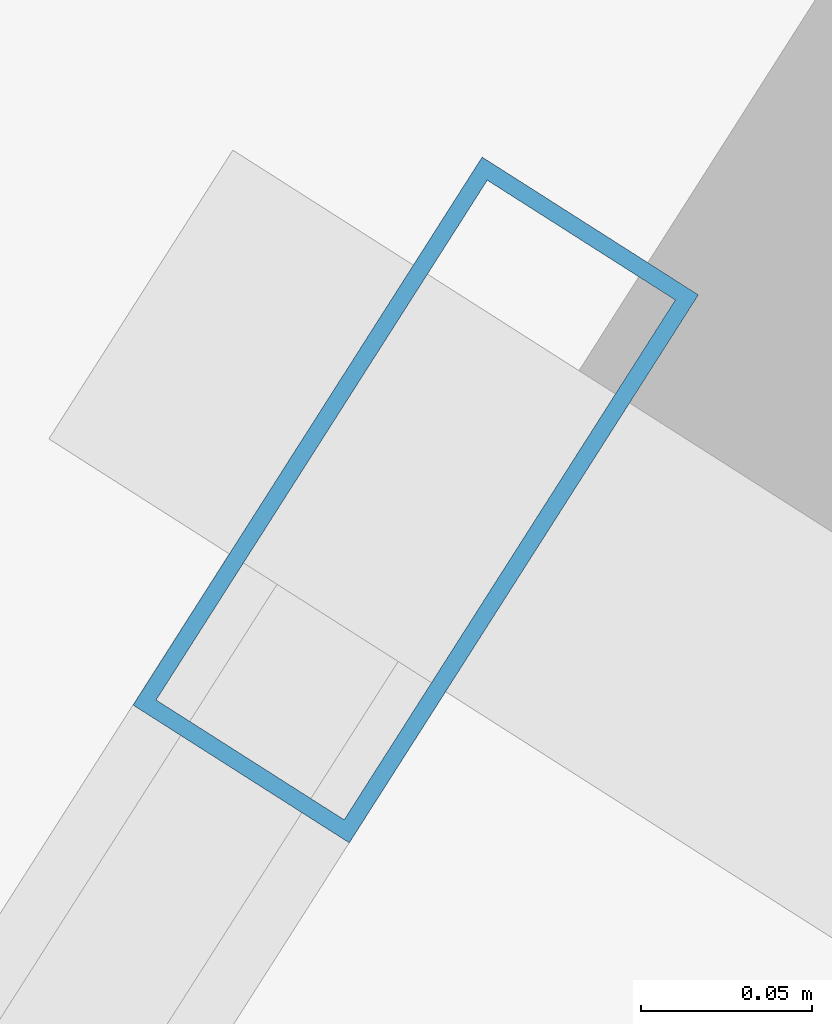
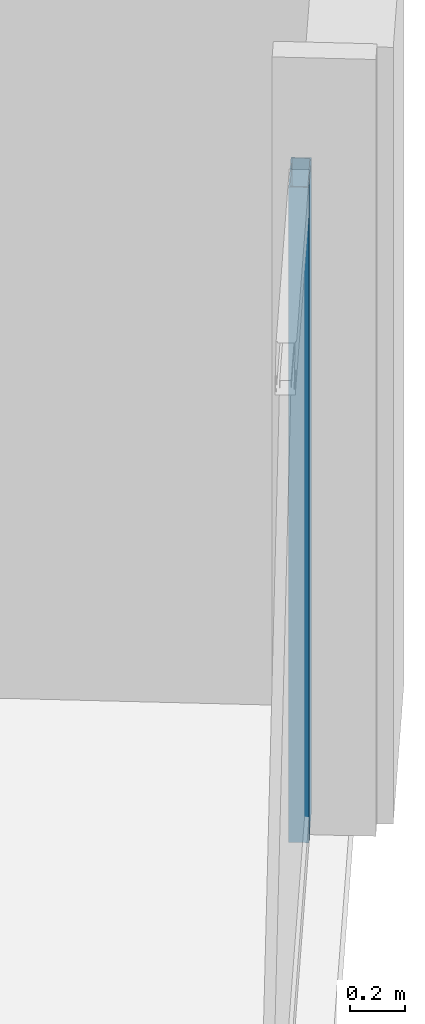
# One storey, part 17 of 30: 1 member, 1 element without a shape of its own.
"""IFC4 building model written with IfcOpenShell, lengths in metres."""

from ifc_helpers import new_model, si_unit, direction, frame, origin, origin_2d, place, context, subcontext, project, spatial, hollow_rectangle, extrude, material, material_profile, profile_set, type_object, element, aggregate, save


model = new_model("IFC4")

# Units and contexts
model_context = context("Model", 3, precision=1e-05, world=origin(), true_north=direction((0.0, 1.0)))
body_context = subcontext(model_context, "Body", "Model", "MODEL_VIEW")
ifc_project = project(units=[si_unit("LENGTHUNIT", "METRE"), si_unit("AREAUNIT", "SQUARE_METRE"), si_unit("VOLUMEUNIT", "CUBIC_METRE"), si_unit("PLANEANGLEUNIT", "RADIAN"), si_unit("MASSUNIT", "GRAM", prefix="KILO")], contexts=[model_context])

# Site, building, storey
site_placement = place(None, origin())
site = spatial("IfcSite", under=ifc_project, at=site_placement, CompositionType="ELEMENT")
building_placement = place(site_placement, origin())
building = spatial("IfcBuilding", under=site, at=building_placement, Name="Haldenkirk Collegiate Tower", CompositionType="ELEMENT")
storey_placement = place(building_placement, frame((0.0, 0.0, 220.949951171875)))
storey = spatial("IfcBuildingStorey", under=building, at=storey_placement, Name="L55", CompositionType="ELEMENT", Elevation=220.949951171875)

# Curtain wall, member
ifc_material = material(Name="Anodised architectural bronze aluminium", Category="aluminium")
curtain_wall_type = type_object("IfcCurtainWallType", Name="CW-SYS2-CONCAVE", PredefinedType="USERDEFINED", material=ifc_material)
curtain_wall_placement = place(storey_placement, origin())
curtain_wall = element("IfcCurtainWall", 1, at=curtain_wall_placement, inside=storey, type_object=curtain_wall_type, Name="L55 South concave recessed bronze-anodised curtain wall", ObjectType="UNITISED CURTAIN WALL", PredefinedType="USERDEFINED")
ifc_material_profile = material_profile(ifc_material, hollow_rectangle(XDim=0.074951171875, YDim=0.18994140625, WallThickness=0.0048828125, at=origin_2d()), Name="CW-MUL-02")
ifc_profile_set = profile_set([ifc_material_profile], Name="Anodised architectural bronze aluminium")
member_type = type_object("IfcMemberType", Name="CW-MUL-02", PredefinedType="MULLION", material=ifc_profile_set)
member_placement = place(storey_placement, frame((65.78955078125, 29.68359375, 0.0), z_axis=(0.0, 0.0, 1.0), x_axis=(0.843390453731, -0.5373011656, 0.0)))
member = element("IfcMember", 2, at=member_placement, type_object=member_type, Name="CW-02 mullion 1", PredefinedType="MULLION", context=body_context, shape_type="SweptSolid", body=[
    extrude(hollow_rectangle(XDim=0.074951171875, YDim=0.18994140625, WallThickness=0.0048828125, at=origin_2d()), origin(), (0.0, 0.0, 1.0), 2.927978515625),
])
aggregate(curtain_wall, [member])

save(model, "model.ifc")
